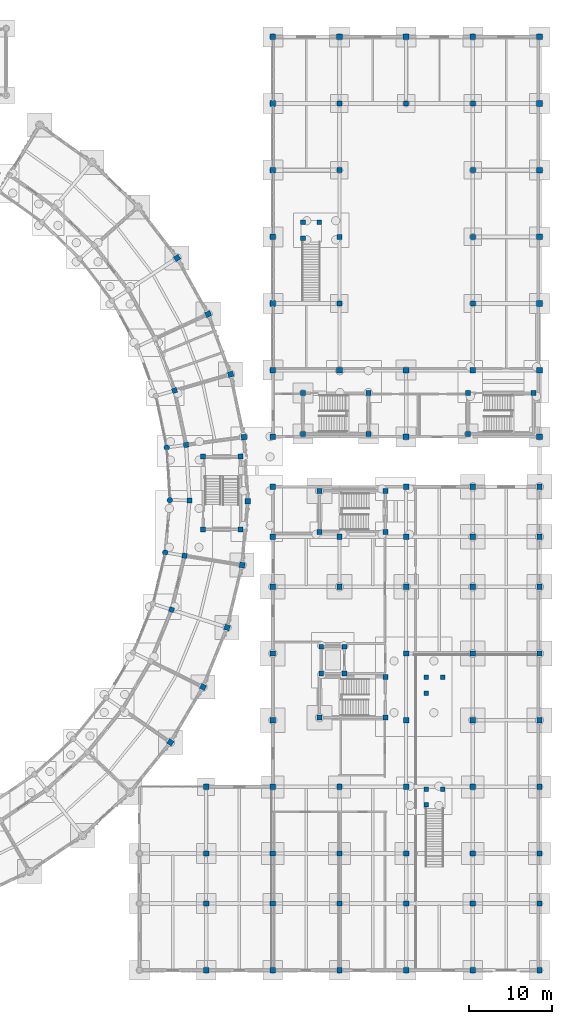
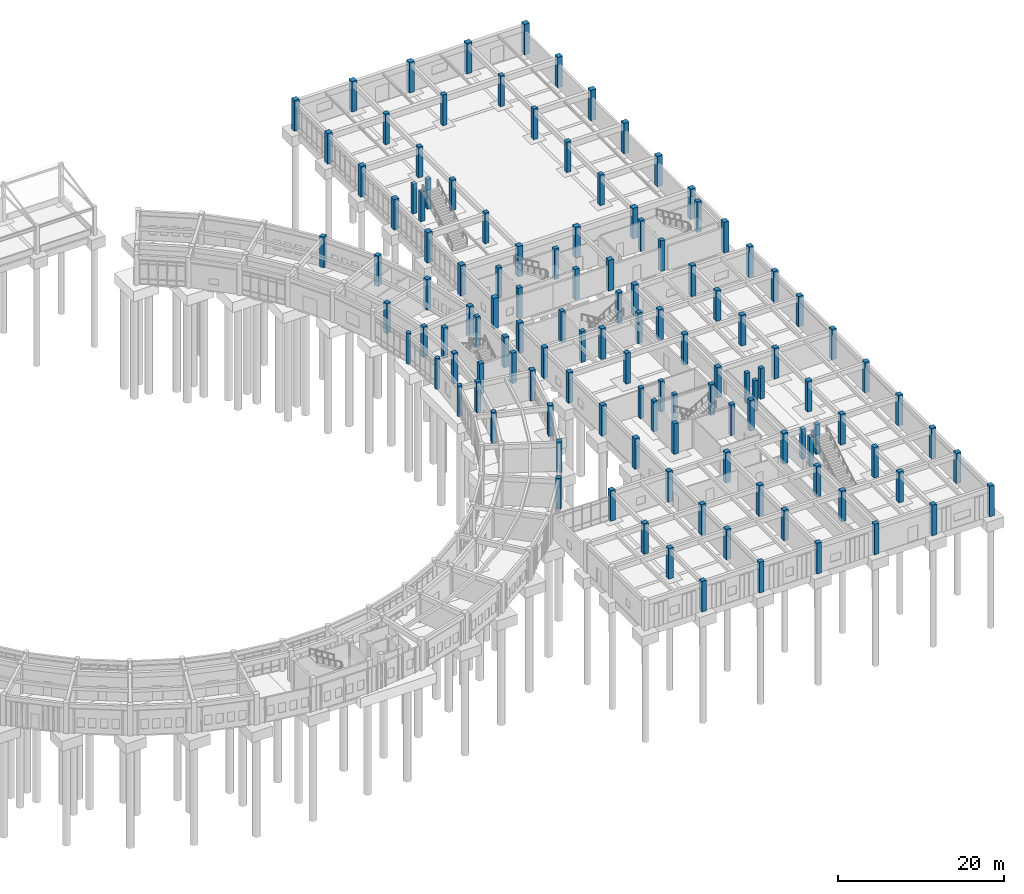
# One storey, part 14 of 153: 124 columns.
"""IFC4 building model written with IfcOpenShell, lengths in metres."""

from ifc_helpers import new_model, si_unit, direction, frame, origin, origin_2d, place, context, subcontext, project, spatial, rectangle, circle, extrude, material, material_profile, profile_set, type_object, element, save


model = new_model("IFC4")

# Units and contexts
model_context = context("Model", 3, precision=1e-05, world=origin(), true_north=direction((0.0, 1.0)))
body_context = subcontext(model_context, "Body", "Model", "MODEL_VIEW")
ifc_project = project(units=[si_unit("LENGTHUNIT", "METRE"), si_unit("AREAUNIT", "SQUARE_METRE"), si_unit("VOLUMEUNIT", "CUBIC_METRE"), si_unit("PLANEANGLEUNIT", "RADIAN"), si_unit("MASSUNIT", "GRAM", prefix="KILO")], contexts=[model_context])

# Site, building, storey
site_placement = place(None, origin())
site = spatial("IfcSite", under=ifc_project, at=site_placement, CompositionType="ELEMENT")
building_placement = place(site_placement, origin())
building = spatial("IfcBuilding", under=site, at=building_placement, Name="Celadon Cloister-Ring School", CompositionType="ELEMENT")
storey_placement = place(building_placement, origin())
storey = spatial("IfcBuildingStorey", under=building, at=storey_placement, Name="L00", CompositionType="ELEMENT", Elevation=0.0)

# Columns
ifc_material_1 = material(Name="Concrete C40/50", Category="concrete")
ifc_material_profile_1 = material_profile(ifc_material_1, rectangle(XDim=0.699951171875, YDim=0.699951171875, at=origin_2d()), Name="RC700X700")
ifc_profile_set_1 = profile_set([ifc_material_profile_1], Name="Concrete C40/50")
column_type_1 = type_object("IfcColumnType", Name="CT-02", PredefinedType="COLUMN", material=ifc_profile_set_1)
for number, where, z_axis, x_axis, name in (
    (1, (150.0, 74.0, 0.0), (0.0, 0.0, 1.0), (1.0, 0.0, 0.0), "Column 0693"),
    (2, (158.0, 74.0, 0.0), (0.0, 0.0, 1.0), (1.0, 0.0, 0.0), "Column 0703"),
    (3, (166.0, 74.0, 0.0), (0.0, 0.0, 1.0), (1.0, 0.0, 0.0), "Column 0708"),
):
    element("IfcColumn", number, at=place(storey_placement, frame(where, z_axis=z_axis, x_axis=x_axis)), inside=storey, type_object=column_type_1, Name=name, PredefinedType="COLUMN", context=body_context, shape_type="SweptSolid", body=[
        extrude(rectangle(XDim=0.699951171875, YDim=0.699951171875, at=origin_2d()), origin(), (0.0, 0.0, 1.0), 4.5),
    ])
ifc_material_2 = material(Name="Concrete C40/50", Category="concrete")
ifc_material_profile_2 = material_profile(ifc_material_2, rectangle(XDim=0.64990234375, YDim=0.64990234375, at=origin_2d()), Name="RC650X650")
ifc_profile_set_2 = profile_set([ifc_material_profile_2], Name="Concrete C40/50")
column_type_2 = type_object("IfcColumnType", Name="CT-03", PredefinedType="COLUMN", material=ifc_profile_set_2)
for number, where, z_axis, x_axis, name in (
    (4, (134.0, 10.0, 0.0), (0.0, 0.0, 1.0), (1.0, 0.0, 0.0), "Column 0913"),
    (5, (134.0, 16.0, 0.0), (0.0, 0.0, 1.0), (1.0, 0.0, 0.0), "Column 0915"),
    (6, (134.0, 2.0, 0.0), (0.0, 0.0, 1.0), (1.0, 0.0, 0.0), "Column 0917"),
    (7, (134.0, 24.0, 0.0), (0.0, 0.0, 1.0), (1.0, 0.0, 0.0), "Column 0919"),
    (8, (142.0, 10.0, 0.0), (0.0, 0.0, 1.0), (1.0, 0.0, 0.0), "Column 0920"),
    (9, (142.0, 16.0, 0.0), (0.0, 0.0, 1.0), (1.0, 0.0, 0.0), "Column 0922"),
    (10, (142.0, 2.0, 0.0), (0.0, 0.0, 1.0), (1.0, 0.0, 0.0), "Column 0925"),
    (11, (142.0, 24.0, 0.0), (0.0, 0.0, 1.0), (1.0, 0.0, 0.0), "Column 0927"),
    (12, (142.0, 32.0, 0.0), (0.0, 0.0, 1.0), (1.0, 0.0, 0.0), "Column 0930"),
    (13, (142.0, 40.0, 0.0), (0.0, 0.0, 1.0), (1.0, 0.0, 0.0), "Column 0934"),
    (14, (142.0, 48.0, 0.0), (0.0, 0.0, 1.0), (1.0, 0.0, 0.0), "Column 0938"),
    (15, (142.0, 54.0, 0.0), (0.0, 0.0, 1.0), (1.0, 0.0, 0.0), "Column 0942"),
    (16, (142.0, 60.0, 0.0), (0.0, 0.0, 1.0), (1.0, 0.0, 0.0), "Column 0946"),
    (17, (150.0, 10.0, 0.0), (0.0, 0.0, 1.0), (1.0, 0.0, 0.0), "Column 0950"),
    (18, (150.0, 16.0, 0.0), (0.0, 0.0, 1.0), (1.0, 0.0, 0.0), "Column 0952"),
    (19, (150.0, 2.0, 0.0), (0.0, 0.0, 1.0), (1.0, 0.0, 0.0), "Column 0955"),
    (20, (150.0, 24.0, 0.0), (0.0, 0.0, 1.0), (1.0, 0.0, 0.0), "Column 0957"),
    (21, (150.0, 48.0, 0.0), (0.0, 0.0, 1.0), (1.0, 0.0, 0.0), "Column 0960"),
    (22, (150.0, 54.0, 0.0), (0.0, 0.0, 1.0), (1.0, 0.0, 0.0), "Column 0964"),
    (23, (158.0, 10.0, 0.0), (0.0, 0.0, 1.0), (1.0, 0.0, 0.0), "Column 0968"),
    (24, (158.0, 16.0, 0.0), (0.0, 0.0, 1.0), (1.0, 0.0, 0.0), "Column 0970"),
    (25, (158.0, 2.0, 0.0), (0.0, 0.0, 1.0), (1.0, 0.0, 0.0), "Column 0973"),
    (26, (158.0, 24.0, 0.0), (0.0, 0.0, 1.0), (1.0, 0.0, 0.0), "Column 0975"),
    (27, (158.0, 32.0, 0.0), (0.0, 0.0, 1.0), (1.0, 0.0, 0.0), "Column 0978"),
    (28, (158.0, 40.0, 0.0), (0.0, 0.0, 1.0), (1.0, 0.0, 0.0), "Column 0982"),
    (29, (158.0, 48.0, 0.0), (0.0, 0.0, 1.0), (1.0, 0.0, 0.0), "Column 0986"),
    (30, (158.0, 54.0, 0.0), (0.0, 0.0, 1.0), (1.0, 0.0, 0.0), "Column 0990"),
    (31, (158.0, 60.0, 0.0), (0.0, 0.0, 1.0), (1.0, 0.0, 0.0), "Column 0994"),
    (32, (166.0, 10.0, 0.0), (0.0, 0.0, 1.0), (1.0, 0.0, 0.0), "Column 0998"),
    (33, (166.0, 16.0, 0.0), (0.0, 0.0, 1.0), (1.0, 0.0, 0.0), "Column 1000"),
    (34, (166.0, 2.0, 0.0), (0.0, 0.0, 1.0), (1.0, 0.0, 0.0), "Column 1003"),
    (35, (166.0, 24.0, 0.0), (0.0, 0.0, 1.0), (1.0, 0.0, 0.0), "Column 1005"),
    (36, (166.0, 32.0, 0.0), (0.0, 0.0, 1.0), (1.0, 0.0, 0.0), "Column 1008"),
    (37, (166.0, 40.0, 0.0), (0.0, 0.0, 1.0), (1.0, 0.0, 0.0), "Column 1012"),
    (38, (166.0, 48.0, 0.0), (0.0, 0.0, 1.0), (1.0, 0.0, 0.0), "Column 1016"),
    (39, (166.0, 54.0, 0.0), (0.0, 0.0, 1.0), (1.0, 0.0, 0.0), "Column 1020"),
    (40, (166.0, 60.0, 0.0), (0.0, 0.0, 1.0), (1.0, 0.0, 0.0), "Column 1024"),
    (41, (174.0, 10.0, 0.0), (0.0, 0.0, 1.0), (1.0, 0.0, 0.0), "Column 1028"),
    (42, (174.0, 16.0, 0.0), (0.0, 0.0, 1.0), (1.0, 0.0, 0.0), "Column 1030"),
    (43, (174.0, 2.0, 0.0), (0.0, 0.0, 1.0), (1.0, 0.0, 0.0), "Column 1033"),
    (44, (174.0, 24.0, 0.0), (0.0, 0.0, 1.0), (1.0, 0.0, 0.0), "Column 1035"),
    (45, (174.0, 32.0, 0.0), (0.0, 0.0, 1.0), (1.0, 0.0, 0.0), "Column 1038"),
    (46, (174.0, 40.0, 0.0), (0.0, 0.0, 1.0), (1.0, 0.0, 0.0), "Column 1042"),
    (47, (174.0, 48.0, 0.0), (0.0, 0.0, 1.0), (1.0, 0.0, 0.0), "Column 1046"),
    (48, (174.0, 54.0, 0.0), (0.0, 0.0, 1.0), (1.0, 0.0, 0.0), "Column 1050"),
    (49, (174.0, 60.0, 0.0), (0.0, 0.0, 1.0), (1.0, 0.0, 0.0), "Column 1054"),
):
    element("IfcColumn", number, at=place(storey_placement, frame(where, z_axis=z_axis, x_axis=x_axis)), inside=storey, type_object=column_type_2, Name=name, PredefinedType="COLUMN", context=body_context, shape_type="SweptSolid", body=[
        extrude(rectangle(XDim=0.64990234375, YDim=0.64990234375, at=origin_2d()), origin(), (0.0, 0.0, 1.0), 4.5),
    ])
ifc_material_3 = material(Name="Concrete C40/50", Category="concrete")
ifc_material_profile_3 = material_profile(ifc_material_3, rectangle(XDim=0.60009765625, YDim=0.60009765625, at=origin_2d()), Name="RC600X600")
ifc_profile_set_3 = profile_set([ifc_material_profile_3], Name="Concrete C40/50")
column_type_3 = type_object("IfcColumnType", Name="CT-04", PredefinedType="COLUMN", material=ifc_profile_set_3)
for number, where, z_axis, x_axis, name in (
    (50, (133.6298828125, 54.89990234375, 0.0), (0.0, 0.0, 1.0), (1.0, 0.0, 0.0), "Column 0001"),
    (51, (138.14990234375, 54.89990234375, 0.0), (0.0, 0.0, 1.0), (1.0, 0.0, 0.0), "Column 0005"),
    (52, (138.14990234375, 63.6201171875, 0.0), (0.0, 0.0, 1.0), (1.0, 0.0, 0.0), "Column 0009"),
    (53, (133.6298828125, 63.6201171875, 0.0), (0.0, 0.0, 1.0), (1.0, 0.0, 0.0), "Column 0013"),
    (54, (145.60009765625, 66.35009765625, 0.0), (0.0, 0.0, 1.0), (1.0, 0.0, 0.0), "Column 0049"),
    (55, (153.5, 66.35009765625, 0.0), (0.0, 0.0, 1.0), (1.0, 0.0, 0.0), "Column 0051"),
    (56, (153.5, 71.25, 0.0), (0.0, 0.0, 1.0), (1.0, 0.0, 0.0), "Column 0053"),
    (57, (145.60009765625, 71.25, 0.0), (0.0, 0.0, 1.0), (1.0, 0.0, 0.0), "Column 0055"),
    (58, (165.39990234375, 66.35009765625, 0.0), (0.0, 0.0, 1.0), (1.0, 0.0, 0.0), "Column 0057"),
    (59, (173.300048828125, 71.25, 0.0), (0.0, 0.0, 1.0), (1.0, 0.0, 0.0), "Column 0059"),
    (60, (165.39990234375, 71.25, 0.0), (0.0, 0.0, 1.0), (1.0, 0.0, 0.0), "Column 0061"),
    (61, (147.60009765625, 32.300048828125, 0.0), (0.0, 0.0, 1.0), (1.0, 0.0, 0.0), "Column 0095"),
    (62, (155.5, 32.300048828125, 0.0), (0.0, 0.0, 1.0), (1.0, 0.0, 0.0), "Column 0099"),
    (63, (155.5, 37.199951171875, 0.0), (0.0, 0.0, 1.0), (1.0, 0.0, 0.0), "Column 0103"),
    (64, (147.60009765625, 54.60009765625, 0.0), (0.0, 0.0, 1.0), (1.0, 0.0, 0.0), "Column 0107"),
    (65, (155.5, 54.60009765625, 0.0), (0.0, 0.0, 1.0), (1.0, 0.0, 0.0), "Column 0111"),
    (66, (155.5, 59.5, 0.0), (0.0, 0.0, 1.0), (1.0, 0.0, 0.0), "Column 0115"),
    (67, (147.60009765625, 59.5, 0.0), (0.0, 0.0, 1.0), (1.0, 0.0, 0.0), "Column 0119"),
    (68, (129.85009765625, 45.256103515625, 0.0), (0.0, 0.0, 1.0), (0.95221472185, -0.305429408362, 0.0), "Column 0500"),
    (69, (131.409912109375, 51.737060546875, 0.0), (0.0, 0.0, 1.0), (0.986889540988, -0.161397130983, 0.0), "Column 0504"),
    (70, (131.99609375, 58.3779296875, 0.0), (0.0, 0.0, 1.0), (0.999904463751, -0.013822567474, 0.0), "Column 0508"),
    (71, (131.593994140625, 65.031982421875, 0.0), (0.0, 0.0, 1.0), (0.9909738433, 0.13405536877, 0.0), "Column 0512"),
    (72, (130.212890625, 71.554931640625, 0.0), (0.0, 0.0, 1.0), (0.960293685677, 0.278991106039, 0.0), "Column 0516"),
    (73, (150.0, 106.0, 0.0), (0.0, 0.0, 1.0), (1.0, 0.0, 0.0), "Column 0690"),
    (74, (150.0, 82.0, 0.0), (0.0, 0.0, 1.0), (1.0, 0.0, 0.0), "Column 0695"),
    (75, (150.0, 90.0, 0.0), (0.0, 0.0, 1.0), (1.0, 0.0, 0.0), "Column 0696"),
    (76, (150.0, 98.0, 0.0), (0.0, 0.0, 1.0), (1.0, 0.0, 0.0), "Column 0697"),
    (77, (158.0, 106.0, 0.0), (0.0, 0.0, 1.0), (1.0, 0.0, 0.0), "Column 0698"),
    (78, (166.0, 106.0, 0.0), (0.0, 0.0, 1.0), (1.0, 0.0, 0.0), "Column 0705"),
    (79, (166.0, 82.0, 0.0), (0.0, 0.0, 1.0), (1.0, 0.0, 0.0), "Column 0710"),
    (80, (166.0, 90.0, 0.0), (0.0, 0.0, 1.0), (1.0, 0.0, 0.0), "Column 0711"),
    (81, (166.0, 98.0, 0.0), (0.0, 0.0, 1.0), (1.0, 0.0, 0.0), "Column 0712"),
):
    element("IfcColumn", number, at=place(storey_placement, frame(where, z_axis=z_axis, x_axis=x_axis)), inside=storey, type_object=column_type_3, Name=name, PredefinedType="COLUMN", context=body_context, shape_type="SweptSolid", body=[
        extrude(rectangle(XDim=0.60009765625, YDim=0.60009765625, at=origin_2d()), origin(), (0.0, 0.0, 1.0), 4.5),
    ])
ifc_material_4 = material(Name="Concrete C40/50", Category="concrete")
ifc_material_profile_4 = material_profile(ifc_material_4, rectangle(XDim=0.550048828125, YDim=0.550048828125, at=origin_2d()), Name="RC550X550")
ifc_profile_set_4 = profile_set([ifc_material_profile_4], Name="Concrete C40/50")
column_type_4 = type_object("IfcColumnType", Name="CT-05", PredefinedType="COLUMN", material=ifc_profile_set_4)
for number, where, z_axis, x_axis, name in (
    (82, (145.6201171875, 91.72998046875, 0.0), (0.0, 0.0, 1.0), (1.0, 0.0, 0.0), "Column 0200"),
    (83, (147.580078125, 91.72998046875, 0.0), (0.0, 0.0, 1.0), (1.0, 0.0, 0.0), "Column 0201"),
    (84, (145.6201171875, 89.85009765625, 0.0), (0.0, 0.0, 1.0), (1.0, 0.0, 0.0), "Column 0202"),
    (85, (160.419921875, 23.72998046875, 0.0), (0.0, 0.0, 1.0), (1.0, 0.0, 0.0), "Column 0203"),
    (86, (162.3798828125, 23.72998046875, 0.0), (0.0, 0.0, 1.0), (1.0, 0.0, 0.0), "Column 0204"),
    (87, (160.419921875, 21.85009765625, 0.0), (0.0, 0.0, 1.0), (1.0, 0.0, 0.0), "Column 0205"),
):
    element("IfcColumn", number, at=place(storey_placement, frame(where, z_axis=z_axis, x_axis=x_axis)), inside=storey, type_object=column_type_4, Name=name, PredefinedType="COLUMN", context=body_context, shape_type="SweptSolid", body=[
        extrude(rectangle(XDim=0.550048828125, YDim=0.550048828125, at=origin_2d()), origin(), (0.0, 0.0, 1.0), 4.35009765625),
    ])
for number, where, z_axis, x_axis, name in (
    (88, (160.419921875, 37.1298828125, 0.0), (0.0, 0.0, 1.0), (1.0, 0.0, 0.0), "Column 0206"),
    (89, (162.3798828125, 37.1298828125, 0.0), (0.0, 0.0, 1.0), (1.0, 0.0, 0.0), "Column 0208"),
    (90, (160.419921875, 35.25, 0.0), (0.0, 0.0, 1.0), (1.0, 0.0, 0.0), "Column 0210"),
    (91, (147.800048828125, 37.60009765625, 0.0), (0.0, 0.0, 1.0), (1.0, 0.0, 0.0), "Column 0308"),
    (92, (150.60009765625, 37.60009765625, 0.0), (0.0, 0.0, 1.0), (1.0, 0.0, 0.0), "Column 0312"),
    (93, (150.60009765625, 40.800048828125, 0.0), (0.0, 0.0, 1.0), (1.0, 0.0, 0.0), "Column 0316"),
    (94, (147.800048828125, 40.800048828125, 0.0), (0.0, 0.0, 1.0), (1.0, 0.0, 0.0), "Column 0320"),
):
    element("IfcColumn", number, at=place(storey_placement, frame(where, z_axis=z_axis, x_axis=x_axis)), inside=storey, type_object=column_type_4, Name=name, PredefinedType="COLUMN", context=body_context, shape_type="SweptSolid", body=[
        extrude(rectangle(XDim=0.550048828125, YDim=0.550048828125, at=origin_2d()), origin(), (0.0, 0.0, 1.0), 4.5),
    ])
ifc_material_5 = material(Name="Concrete C40/50", Category="concrete")
ifc_material_profile_5 = material_profile(ifc_material_5, rectangle(XDim=0.699951171875, YDim=0.699951171875, at=origin_2d()), Name="RC700X700")
ifc_profile_set_5 = profile_set([ifc_material_profile_5], Name="Concrete C40/50")
column_type_5 = type_object("IfcColumnType", Name="CT-21", PredefinedType="COLUMN", material=ifc_profile_set_5)
for number, where, z_axis, x_axis, name in (
    (95, (142.0, 106.0, 0.0), (0.0, 0.0, 1.0), (1.0, 0.0, 0.0), "Column 0676"),
    (96, (142.0, 114.0, 0.0), (0.0, 0.0, 1.0), (1.0, 0.0, 0.0), "Column 0678"),
    (97, (142.0, 66.0, 0.0), (0.0, 0.0, 1.0), (1.0, 0.0, 0.0), "Column 0680"),
    (98, (142.0, 74.0, 0.0), (0.0, 0.0, 1.0), (1.0, 0.0, 0.0), "Column 0682"),
    (99, (142.0, 82.0, 0.0), (0.0, 0.0, 1.0), (1.0, 0.0, 0.0), "Column 0684"),
    (100, (142.0, 90.0, 0.0), (0.0, 0.0, 1.0), (1.0, 0.0, 0.0), "Column 0686"),
    (101, (142.0, 98.0, 0.0), (0.0, 0.0, 1.0), (1.0, 0.0, 0.0), "Column 0688"),
    (102, (150.0, 114.0, 0.0), (0.0, 0.0, 1.0), (1.0, 0.0, 0.0), "Column 0691"),
    (103, (158.0, 114.0, 0.0), (0.0, 0.0, 1.0), (1.0, 0.0, 0.0), "Column 0699"),
    (104, (158.0, 66.0, 0.0), (0.0, 0.0, 1.0), (1.0, 0.0, 0.0), "Column 0701"),
    (105, (166.0, 114.0, 0.0), (0.0, 0.0, 1.0), (1.0, 0.0, 0.0), "Column 0706"),
    (106, (174.0, 106.0, 0.0), (0.0, 0.0, 1.0), (1.0, 0.0, 0.0), "Column 0713"),
    (107, (174.0, 114.0, 0.0), (0.0, 0.0, 1.0), (1.0, 0.0, 0.0), "Column 0715"),
    (108, (174.0, 66.0, 0.0), (0.0, 0.0, 1.0), (1.0, 0.0, 0.0), "Column 0717"),
    (109, (174.0, 74.0, 0.0), (0.0, 0.0, 1.0), (1.0, 0.0, 0.0), "Column 0719"),
    (110, (174.0, 82.0, 0.0), (0.0, 0.0, 1.0), (1.0, 0.0, 0.0), "Column 0721"),
    (111, (174.0, 90.0, 0.0), (0.0, 0.0, 1.0), (1.0, 0.0, 0.0), "Column 0723"),
    (112, (174.0, 98.0, 0.0), (0.0, 0.0, 1.0), (1.0, 0.0, 0.0), "Column 0725"),
):
    element("IfcColumn", number, at=place(storey_placement, frame(where, z_axis=z_axis, x_axis=x_axis)), inside=storey, type_object=column_type_5, Name=name, PredefinedType="COLUMN", context=body_context, shape_type="SweptSolid", body=[
        extrude(rectangle(XDim=0.699951171875, YDim=0.699951171875, at=origin_2d()), origin(), (0.0, 0.0, 1.0), 4.5),
    ])
ifc_material_6 = material(Name="Concrete C40/50", Category="concrete")
ifc_material_profile_6 = material_profile(ifc_material_6, rectangle(XDim=0.64990234375, YDim=0.64990234375, at=origin_2d()), Name="RC650X650")
ifc_profile_set_6 = profile_set([ifc_material_profile_6], Name="Concrete C40/50")
column_type_6 = type_object("IfcColumnType", Name="CT-22", PredefinedType="COLUMN", material=ifc_profile_set_6)
for number, where, z_axis, x_axis, name in (
    (113, (129.7119140625, 29.341064453125, 0.0), (0.0, 0.0, 1.0), (0.821388197028, -0.57036955545, 0.0), "Column 0628"),
    (114, (133.625, 35.97705078125, 0.0), (0.0, 0.0, 1.0), (0.896641036785, -0.442758231039, 0.0), "Column 0632"),
    (115, (136.514892578125, 43.117919921875, 0.0), (0.0, 0.0, 1.0), (0.95221472185, -0.305429408362, 0.0), "Column 0636"),
    (116, (138.318115234375, 50.60693359375, 0.0), (0.0, 0.0, 1.0), (0.986889540988, -0.161397130983, 0.0), "Column 0640"),
    (117, (138.9951171875, 58.281005859375, 0.0), (0.0, 0.0, 1.0), (0.999904463751, -0.013822567474, 0.0), "Column 0644"),
    (118, (138.531005859375, 65.970947265625, 0.0), (0.0, 0.0, 1.0), (0.9909738433, 0.13405536877, 0.0), "Column 0648"),
    (119, (136.93505859375, 73.508056640625, 0.0), (0.0, 0.0, 1.0), (0.960293685677, 0.278991106039, 0.0), "Column 0652"),
    (120, (134.243896484375, 80.72607421875, 0.0), (0.0, 0.0, 1.0), (0.908537347938, 0.417803646947, 0.0), "Column 0656"),
    (121, (130.51611328125, 87.467041015625, 0.0), (0.0, 0.0, 1.0), (0.836840759551, 0.547446383817, 0.0), "Column 0660"),
):
    element("IfcColumn", number, at=place(storey_placement, frame(where, z_axis=z_axis, x_axis=x_axis)), inside=storey, type_object=column_type_6, Name=name, PredefinedType="COLUMN", context=body_context, shape_type="SweptSolid", body=[
        extrude(rectangle(XDim=0.64990234375, YDim=0.64990234375, at=origin_2d()), origin(), (0.0, 0.0, 1.0), 4.5),
    ])
ifc_material_7 = material(Name="Concrete C40/50", Category="concrete")
ifc_material_profile_7 = material_profile(ifc_material_7, circle(Radius=0.324951171875, at=origin_2d()), Name="CIRC650")
ifc_profile_set_7 = profile_set([ifc_material_profile_7], Name="Concrete C40/50")
column_type_7 = type_object("IfcColumnType", Name="CT-25", PredefinedType="COLUMN", material=ifc_profile_set_7)
for number, where, z_axis, x_axis, name in (
    (122, (129.091064453125, 52.115966796875, 0.0), (0.0, 0.0, 1.0), (1.0, 0.0, 0.0), "Column 0378"),
    (123, (129.64599609375, 58.409912109375, 0.0), (0.0, 0.0, 1.0), (1.0, 0.0, 0.0), "Column 0380"),
    (124, (129.264892578125, 64.717041015625, 0.0), (0.0, 0.0, 1.0), (1.0, 0.0, 0.0), "Column 0382"),
):
    element("IfcColumn", number, at=place(storey_placement, frame(where, z_axis=z_axis, x_axis=x_axis)), inside=storey, type_object=column_type_7, Name=name, PredefinedType="COLUMN", context=body_context, shape_type="SweptSolid", body=[
        extrude(circle(Radius=0.324951171875, at=origin_2d()), origin(), (0.0, 0.0, 1.0), 4.5),
    ])

save(model, "model.ifc")
